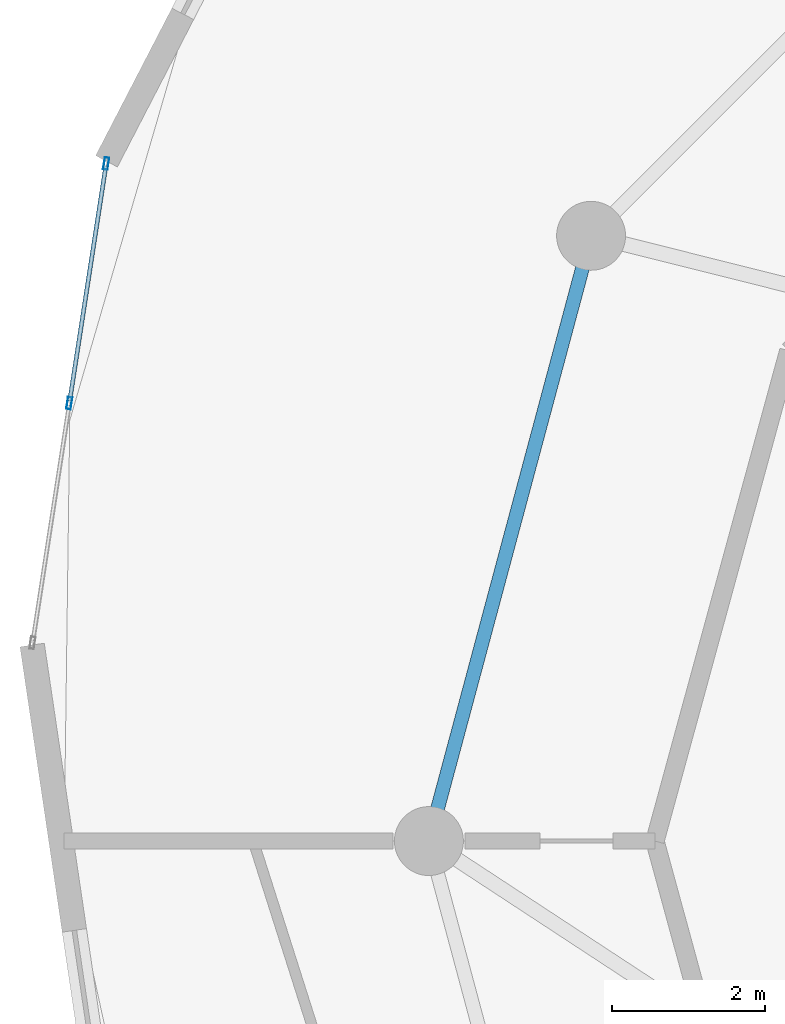
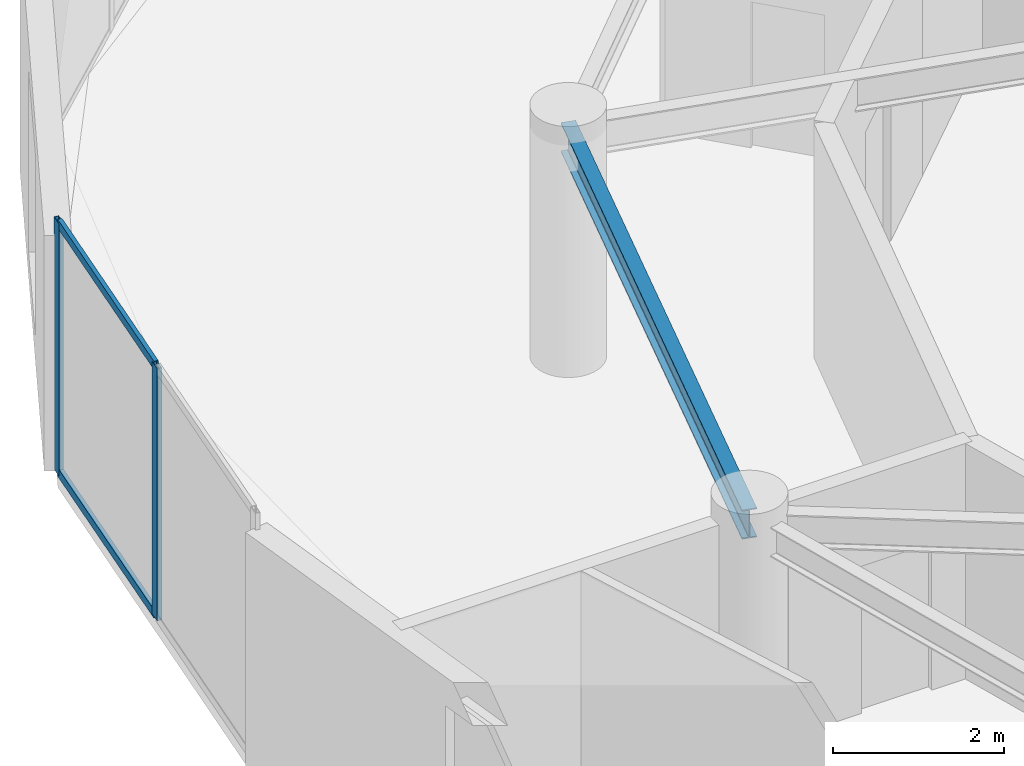
# One storey, part 10 of 24: 4 members, 1 beam, 1 element without a shape of its own.
"""IFC4 building model written with IfcOpenShell, lengths in metres."""

from ifc_helpers import new_model, si_unit, direction, frame, origin, origin_2d, place, context, subcontext, project, spatial, hollow_rectangle, i_section, extrude, source, transform, mapped, material, layer, layer_set, material_profile, profile_set, type_object, element, aggregate, save


model = new_model("IFC4")

# Units and contexts
model_context = context("Model", 3, precision=1e-05, world=origin(), true_north=direction((0.0, 1.0)))
body_context = subcontext(model_context, "Body", "Model", "MODEL_VIEW")
ifc_project = project(units=[si_unit("LENGTHUNIT", "METRE"), si_unit("AREAUNIT", "SQUARE_METRE"), si_unit("VOLUMEUNIT", "CUBIC_METRE"), si_unit("PLANEANGLEUNIT", "RADIAN"), si_unit("MASSUNIT", "GRAM", prefix="KILO")], contexts=[model_context])

# Site, building, storey
site_placement = place(None, origin())
site = spatial("IfcSite", under=ifc_project, at=site_placement, CompositionType="ELEMENT")
building_placement = place(site_placement, origin())
building = spatial("IfcBuilding", under=site, at=building_placement, Name="Solvirekh Grand Hotel", CompositionType="ELEMENT")
storey_placement = place(building_placement, frame((0.0, 0.0, 184.0)))
storey = spatial("IfcBuildingStorey", under=building, at=storey_placement, Name="L47", CompositionType="ELEMENT", Elevation=184.0)

# Beam
ifc_material_1 = material(Name="Steel S355", Category="steel")
ifc_material_profile_1 = material_profile(ifc_material_1, i_section(OverallWidth=0.180908203125, OverallDepth=0.4169921875, WebThickness=0.010009765625, FlangeThickness=0.01611328125, FilletRadius=0.011962890625, at=origin_2d()), Name="W410X85")
ifc_profile_set_1 = profile_set([ifc_material_profile_1], Name="Steel S355")
beam_type = type_object("IfcBeamType", Name="Spandrel_Ring_W410", PredefinedType="SPANDREL", material=ifc_profile_set_1)
beam_placement = place(storey_placement, frame((-13.68310546875, 7.89990234375, 3.152099609375), z_axis=(-0.258838541915, -0.965920601923, 0.0), x_axis=(0.965920601923, -0.258838541915, 0.0)))
element("IfcBeam", 1, at=beam_placement, inside=storey, type_object=beam_type, Name="L47 perimeter spandrel beam 6", PredefinedType="SPANDREL", context=body_context, shape_type="SweptSolid", body=[
    extrude(i_section(OverallWidth=0.180908203125, OverallDepth=0.4169921875, WebThickness=0.010009765625, FlangeThickness=0.01611328125, FilletRadius=0.011962890625, at=origin_2d()), origin(), (0.0, 0.0, 1.0), 8.1787109375),
])

# Curtain wall, members
ifc_material_2 = material(Name="Anodized Bronze Aluminium 6063-T6", Category="aluminium")
ifc_layer = layer(ifc_material_2, 0.159912109375)
ifc_layer_set = layer_set([ifc_layer], Name="Anodized Bronze Aluminium 6063-T6")
curtain_wall_type = type_object("IfcCurtainWallType", Name="CW_Sys4_HighZoneFlushBronzeCW", PredefinedType="NOTDEFINED", material=ifc_layer_set)
curtain_wall_placement = place(storey_placement, origin())
curtain_wall = element("IfcCurtainWall", 2, at=curtain_wall_placement, inside=storey, type_object=curtain_wall_type, Name="L47 unitised bronze-glass curtain wall CW-L47-C13", PredefinedType="NOTDEFINED")
ifc_material_profile_2 = material_profile(ifc_material_2, hollow_rectangle(XDim=0.06005859375, YDim=0.159912109375, WallThickness=0.0048828125, at=origin_2d()), Name="ALU RHS 160X60X5")
ifc_profile_set_2 = profile_set([ifc_material_profile_2], Name="Anodized Bronze Aluminium 6063-T6")
member_type_1 = type_object("IfcMemberType", Name="CWMullion_Sys4", PredefinedType="MULLION", material=ifc_profile_set_2)
shared_shape_1 = source(origin(), body_context, "Body", "SweptSolid", [
    extrude(hollow_rectangle(XDim=0.06005859375, YDim=0.159912109375, WallThickness=0.0048828125, at=origin_2d()), origin(), (0.0, 0.0, 1.0), 3.60009765625),
])
member_1_placement = place(storey_placement, frame((-20.012451171875, 8.84326171875, 0.0), z_axis=(0.0, 0.0, 1.0), x_axis=(0.988384360076, -0.151974855674, 0.0)))
member_1 = element("IfcMember", 3, at=member_1_placement, type_object=member_type_1, Name="U04 mullion 1", PredefinedType="MULLION", context=body_context, shape_type="MappedRepresentation", body=[
    mapped(shared_shape_1, transform((0.0, 0.0, 0.0), x_axis=(1.0, 0.0, 0.0), y_axis=(0.0, 1.0, 0.0), z_axis=(0.0, 0.0, 1.0), scale=1.0)),
])
member_2_placement = place(storey_placement, frame((-20.493408203125, 5.715576171875, 0.0), z_axis=(0.0, 0.0, 1.0), x_axis=(0.988384360076, -0.151974855674, 0.0)))
member_2 = element("IfcMember", 4, at=member_2_placement, type_object=member_type_1, Name="U04 mullion 2", PredefinedType="MULLION", context=body_context, shape_type="MappedRepresentation", body=[
    mapped(shared_shape_1, transform((0.0, 0.0, 0.0), x_axis=(1.0, 0.0, 0.0), y_axis=(0.0, 1.0, 0.0), z_axis=(0.0, 0.0, 1.0), scale=1.0)),
])
ifc_material_profile_3 = material_profile(ifc_material_2, hollow_rectangle(XDim=0.054931640625, YDim=0.1201171875, WallThickness=0.00390625, at=origin_2d()), Name="ALU RHS 120X55X4")
ifc_profile_set_3 = profile_set([ifc_material_profile_3], Name="Anodized Bronze Aluminium 6063-T6")
member_type_2 = type_object("IfcMemberType", Name="CWTransom_Sys4", PredefinedType="USERDEFINED", material=ifc_profile_set_3)
shared_shape_2 = source(origin(), body_context, "Body", "SweptSolid", [
    extrude(hollow_rectangle(XDim=0.054931640625, YDim=0.1201171875, WallThickness=0.00390625, at=origin_2d()), origin(), (0.0, 0.0, 1.0), 3.104736328125),
])
member_3_placement = place(storey_placement, frame((-20.01708984375, 8.813720703125, 0.027587890625), z_axis=(-0.152004002247, -0.988379878033, 0.0), x_axis=(0.988379878033, -0.152004002247, 0.0)))
member_3 = element("IfcMember", 5, at=member_3_placement, type_object=member_type_2, Name="U04 transom 1.1", ObjectType="TRANSOM", PredefinedType="USERDEFINED", context=body_context, shape_type="MappedRepresentation", body=[
    mapped(shared_shape_2, transform((0.0, 0.0, 0.0), x_axis=(1.0, 0.0, 0.0), y_axis=(0.0, 1.0, 0.0), z_axis=(0.0, 0.0, 1.0), scale=1.0)),
])
member_4_placement = place(storey_placement, frame((-20.01708984375, 8.813720703125, 3.572509765625), z_axis=(-0.152004002247, -0.988379878033, 0.0), x_axis=(0.988379878033, -0.152004002247, 0.0)))
member_4 = element("IfcMember", 6, at=member_4_placement, type_object=member_type_2, Name="U04 transom 1.2", ObjectType="TRANSOM", PredefinedType="USERDEFINED", context=body_context, shape_type="MappedRepresentation", body=[
    mapped(shared_shape_2, transform((0.0, 0.0, 0.0), x_axis=(1.0, 0.0, 0.0), y_axis=(0.0, 1.0, 0.0), z_axis=(0.0, 0.0, 1.0), scale=1.0)),
])
aggregate(curtain_wall, [member_1, member_2, member_3, member_4])

save(model, "model.ifc")
